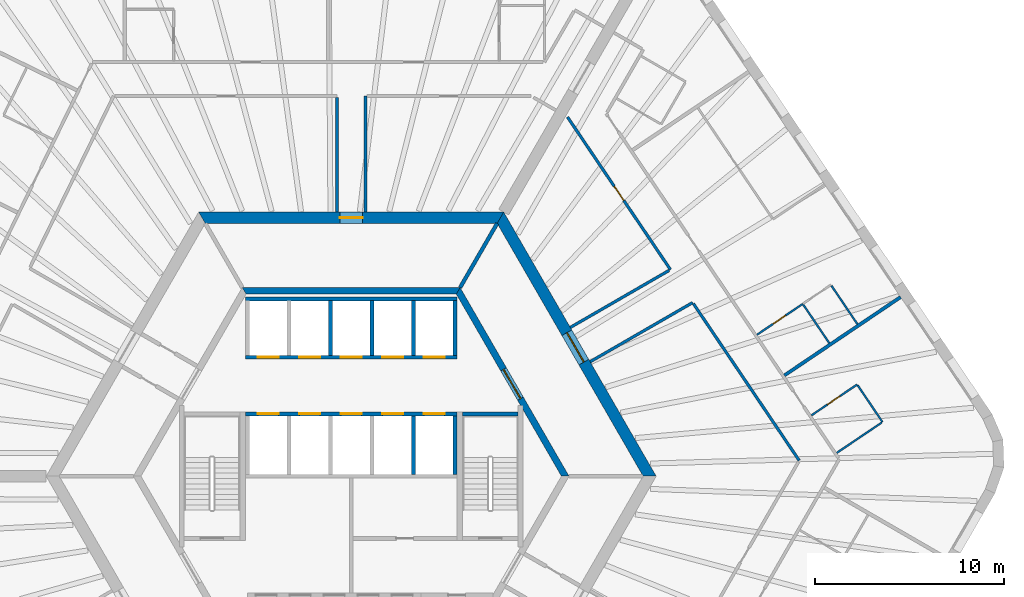
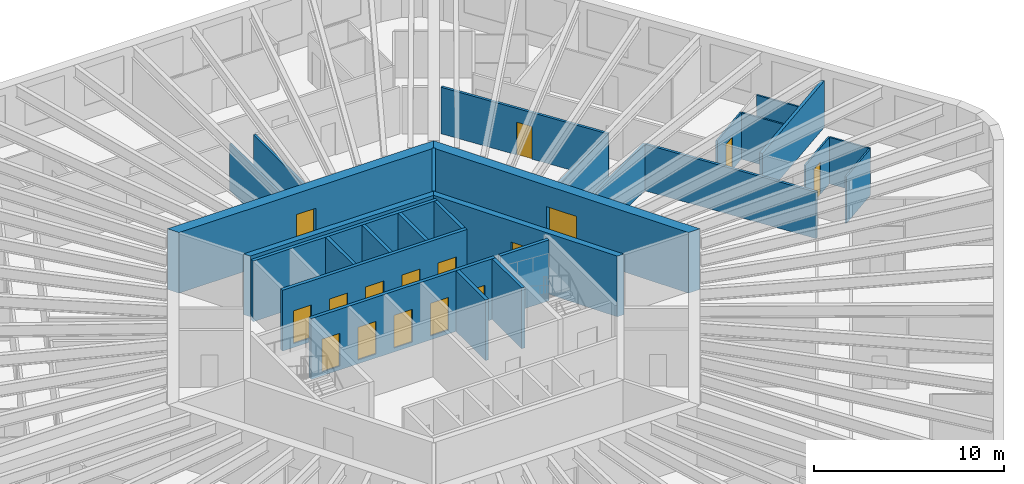
# One storey, part 9 of 12: 28 walls, 16 doors, 16 openings.
"""IFC4 building model written with IfcOpenShell, lengths in metres."""

import ifcopenshell
import ifcopenshell.guid

model = None  # the IFC model being written
_history = None  # IfcOwnerHistory: only IFC2X3 demands one
_inside = {}  # id of a spatial element -> (the spatial element, [elements in it])
_under = {}  # id of a project, library or spatial element -> (it, [spatial elements below it])
_declared = {}  # id of a project -> (the project, [libraries it declares])
_typed = {}  # id of a type object -> (the type object, [elements of that type])
_made_of = {}  # id of a material, layer set ... -> (it, [elements and type objects made of it])


def new_model(schema):
    """Start an empty IFC model of exactly this schema.

    Asked for "IFC4X3", IfcOpenShell would pick the latest addendum, in which some entities
    have other attributes; the version numbers below select the first issue.
    IFC2X3 requires an IfcOwnerHistory on every rooted entity: one is made here for all.
    """
    global model, _history
    if schema == "IFC4X3":
        model = ifcopenshell.file(schema_version=(4, 3, 0, 0))
    else:
        model = ifcopenshell.file(schema=schema)
    _inside.clear()
    _under.clear()
    _declared.clear()
    _typed.clear()
    _made_of.clear()
    _history = None
    if model.schema == "IFC2X3":
        org = make("IfcOrganization", Name="unknown")
        user = make(
            "IfcPersonAndOrganization",
            ThePerson=make("IfcPerson", FamilyName="unknown"),
            TheOrganization=org,
        )
        app = make(
            "IfcApplication",
            ApplicationDeveloper=org,
            Version="unknown",
            ApplicationFullName="unknown",
            ApplicationIdentifier="unknown",
        )
        _history = make(
            "IfcOwnerHistory",
            OwningUser=user,
            OwningApplication=app,
            ChangeAction="ADDED",
            CreationDate=0,
        )
    return model


def make(cls, **values):
    """One entity of the class cls with the attributes given. An attribute that is None is left unset."""
    return model.create_entity(
        cls, **{name: value for name, value in values.items() if value is not None}
    )


def rooted(cls, **values):
    """An entity with a GlobalId (a new one), such as an element, a storey or a relation."""
    return make(cls, GlobalId=ifcopenshell.guid.new(), OwnerHistory=_history, **values)


def si_unit(unit_type, name, prefix=None):
    """IfcSIUnit, for example si_unit("LENGTHUNIT", "METRE", prefix="MILLI")."""
    return make("IfcSIUnit", UnitType=unit_type, Prefix=prefix, Name=name)


def assignment(units):
    """IfcUnitAssignment: the units of a project."""
    return None if units is None else make("IfcUnitAssignment", Units=units)


def point(xyz):
    """IfcCartesianPoint."""
    return None if xyz is None else make("IfcCartesianPoint", Coordinates=xyz)


def direction(xyz):
    """IfcDirection."""
    return None if xyz is None else make("IfcDirection", DirectionRatios=xyz)


def frame(location, z_axis=None, x_axis=None):
    """IfcAxis2Placement3D, a coordinate frame: its origin and axes. An axis left out is left unset."""
    return make(
        "IfcAxis2Placement3D",
        Location=point(location),
        Axis=direction(z_axis),
        RefDirection=direction(x_axis),
    )


def frame_2d(location, x_axis=None):
    """IfcAxis2Placement2D, a coordinate frame in the plane: its origin and x axis."""
    return make(
        "IfcAxis2Placement2D", Location=point(location), RefDirection=direction(x_axis)
    )


def origin():
    """The frame at (0, 0, 0) with its axes left unset."""
    return frame((0.0, 0.0, 0.0))


def place(relative_to, where):
    """IfcLocalPlacement: puts the frame where relative to a parent placement (None: the world)."""
    return make(
        "IfcLocalPlacement", PlacementRelTo=relative_to, RelativePlacement=where
    )


def context(
    kind, dimensions, precision=None, world=None, true_north=None, identifier=None
):
    """IfcGeometricRepresentationContext, for example the 3D "Model" context."""
    return make(
        "IfcGeometricRepresentationContext",
        ContextIdentifier=identifier,
        ContextType=kind,
        CoordinateSpaceDimension=dimensions,
        Precision=precision,
        WorldCoordinateSystem=world,
        TrueNorth=true_north,
    )


def subcontext(parent, identifier, kind, view, scale=None):
    """IfcGeometricRepresentationSubContext, for example "Body" below "Model"."""
    return make(
        "IfcGeometricRepresentationSubContext",
        ContextIdentifier=identifier,
        ContextType=kind,
        ParentContext=parent,
        TargetScale=scale,
        TargetView=view,
    )


def project(units=None, contexts=None):
    """IfcProject with its units and contexts."""
    return rooted(
        "IfcProject",
        Name="project",
        RepresentationContexts=contexts,
        UnitsInContext=assignment(units),
    )


def spatial(cls, under=None, at=None, **own):
    """A site, building, storey or space (cls), placed at a placement, below another one or the project."""
    s = rooted(cls, ObjectPlacement=at, **own)
    if under is not None:
        _under.setdefault(under.id(), (under, []))[1].append(s)
    return s


def polyline(points):
    """IfcPolyline through the points."""
    return make("IfcPolyline", Points=[point(p) for p in points])


def profile(cls, at=None, kind="AREA", **sizes):
    """A parametric profile (cls). Its sizes go by their IFC names, for example OverallWidth=200.0."""
    return make(cls, ProfileType=kind, Position=at, **sizes)


def rectangle(**sizes):
    """IfcRectangleProfileDef."""
    return profile("IfcRectangleProfileDef", **sizes)


def outline(outer, holes=None, kind="AREA"):
    """IfcArbitraryClosedProfileDef: a profile drawn as a closed curve; with holes, ...WithVoids."""
    if holes is None:
        return make("IfcArbitraryClosedProfileDef", ProfileType=kind, OuterCurve=outer)
    return make(
        "IfcArbitraryProfileDefWithVoids",
        ProfileType=kind,
        OuterCurve=outer,
        InnerCurves=holes,
    )


def extrude(swept, where, along, depth):
    """IfcExtrudedAreaSolid: the profile swept, set in the frame where, extruded along a direction by depth."""
    return make(
        "IfcExtrudedAreaSolid",
        SweptArea=swept,
        Position=where,
        ExtrudedDirection=direction(along),
        Depth=depth,
    )


def shape(context_of_items, identifier, shape_type, items):
    """IfcShapeRepresentation: the items that make up one representation, for example the "Body"."""
    return make(
        "IfcShapeRepresentation",
        ContextOfItems=context_of_items,
        RepresentationIdentifier=identifier,
        RepresentationType=shape_type,
        Items=items,
    )


def material(Name=None, Category=None):
    """IfcMaterial."""
    return make("IfcMaterial", Name=Name, Category=Category)


def layer(
    of_material, thickness, ventilated=None, Name=None, Category=None, Priority=None
):
    """IfcMaterialLayer: one layer of a wall or slab, of a material (None: an air gap)."""
    return make(
        "IfcMaterialLayer",
        Material=of_material,
        LayerThickness=thickness,
        IsVentilated=ventilated,
        Name=Name,
        Category=Category,
        Priority=Priority,
    )


def layer_set(layers, Name=None):
    """IfcMaterialLayerSet."""
    return make("IfcMaterialLayerSet", MaterialLayers=layers, LayerSetName=Name)


def made_of(thing, what):
    """Note that an element or type object is made of a material, layer set ...; save() writes the relation."""
    if what is not None:
        _made_of.setdefault(what.id(), (what, []))[1].append(thing)
    return thing


def type_object(cls, material=None, **own):
    """A type object (cls), such as IfcWallType, which elements share."""
    return made_of(rooted(cls, **own), material)


def element(
    cls,
    number,
    at=None,
    inside=None,
    cuts=None,
    type_object=None,
    material=None,
    context=None,
    identifier="Body",
    shape_type=None,
    held_by="IfcProductDefinitionShape",
    body=None,
    shapes=None,
    **own,
):
    """One element of the class cls, such as IfcWall. Its Tag is "e" and its number.

    at: its placement. inside: the storey or other place that contains it. cuts: it is an
    opening in that element (IfcRelVoidsElement). A single representation is given by context,
    identifier, shape_type and body (its items); several are given by shapes. held_by: the class
    of the entity that holds the representations. save() writes the other relations.
    """
    e = rooted(cls, Tag="e%d" % number, ObjectPlacement=at, **own)
    if body is not None:
        shapes = [shape(context, identifier, shape_type, body)]
    if shapes is not None:
        e.Representation = make(held_by, Representations=shapes)
    if inside is not None:
        _inside.setdefault(inside.id(), (inside, []))[1].append(e)
    if cuts is not None:
        rooted(
            "IfcRelVoidsElement", RelatingBuildingElement=cuts, RelatedOpeningElement=e
        )
    if type_object is not None:
        _typed.setdefault(type_object.id(), (type_object, []))[1].append(e)
    return made_of(e, material)


def fill(opening, filler):
    """IfcRelFillsElement: the door or window that sits in an opening."""
    return rooted(
        "IfcRelFillsElement",
        RelatingOpeningElement=opening,
        RelatedBuildingElement=filler,
    )


def aggregate(whole, parts):
    """IfcRelAggregates: a whole, such as a stair, and the parts it consists of."""
    return rooted("IfcRelAggregates", RelatingObject=whole, RelatedObjects=parts)


def save(model, path):
    """Write the relations noted so far, then the file.

    IfcRelAggregates (storeys below a building ...), IfcRelContainedInSpatialStructure (elements
    in a storey), IfcRelDefinesByType, IfcRelAssociatesMaterial and IfcRelDeclares: one each for
    every whole, place, type object, material and project.
    """
    for whole, parts in _under.values():
        aggregate(whole, parts)
    for where, things in _inside.values():
        rooted(
            "IfcRelContainedInSpatialStructure",
            RelatedElements=things,
            RelatingStructure=where,
        )
    for kind, things in _typed.values():
        rooted("IfcRelDefinesByType", RelatedObjects=things, RelatingType=kind)
    for what, things in _made_of.values():
        rooted("IfcRelAssociatesMaterial", RelatedObjects=things, RelatingMaterial=what)
    for by, libraries in _declared.values():
        rooted("IfcRelDeclares", RelatingContext=by, RelatedDefinitions=libraries)
    model.write(path)


model = new_model("IFC4")

# Units and contexts
model_context = context("Model", 3, precision=1e-05, world=origin(), true_north=direction((0.0, 1.0)))
body_context = subcontext(model_context, "Body", "Model", "MODEL_VIEW")
ifc_project = project(units=[si_unit("LENGTHUNIT", "METRE"), si_unit("AREAUNIT", "SQUARE_METRE"), si_unit("VOLUMEUNIT", "CUBIC_METRE"), si_unit("PLANEANGLEUNIT", "RADIAN"), si_unit("MASSUNIT", "GRAM", prefix="KILO")], contexts=[model_context])

# Site, building, storey
site_placement = place(None, origin())
site = spatial("IfcSite", under=ifc_project, at=site_placement, CompositionType="ELEMENT")
building_placement = place(site_placement, origin())
building = spatial("IfcBuilding", under=site, at=building_placement, Name="Tarnside Tower", CompositionType="ELEMENT")
storey_placement = place(building_placement, frame((0.0, 0.0, 72.60009765625)))
storey = spatial("IfcBuildingStorey", under=building, at=storey_placement, Name="L15", CompositionType="ELEMENT", Elevation=72.60009765625)

# Wall, opening, door
ifc_material_1 = material(Name="Gypsum board partition on steel studs", Category="steel")
ifc_layer_1 = layer(ifc_material_1, 0.10009765625)
ifc_layer_set_1 = layer_set([ifc_layer_1], Name="Bathroom wall 100")
wall_type_1 = type_object("IfcWallType", Name="Bathroom wall 100", PredefinedType="PARTITIONING", material=ifc_layer_set_1)
wall_1_placement = place(storey_placement, frame((24.3916015625, 3.22509765625, 0.0), z_axis=(0.0, 0.0, 1.0), x_axis=(0.829033436212, 0.559199035802, 0.0)))
wall_1 = element("IfcWall", 1, at=wall_1_placement, inside=storey, type_object=wall_type_1, Name="Bathroom wall 04137", PredefinedType="PARTITIONING", context=body_context, shape_type="SweptSolid", body=[
    extrude(rectangle(XDim=2.925048828125, YDim=0.10009765625, at=frame_2d((1.46240234375, 0.0))), origin(), (0.0, 0.0, 1.0), 2.98779296875),
])
opening_1_placement = place(wall_1_placement, frame((1.02490234375, 0.0, 0.0)))
opening_1 = element("IfcOpeningElement", 2, at=opening_1_placement, cuts=wall_1, Name="Opening D-B1", PredefinedType="OPENING", context=body_context, shape_type="SweptSolid", body=[
    extrude(rectangle(XDim=0.800048828125, YDim=2.10009765625, at=frame_2d((0.39990234375, 1.050048828125))), frame((0.0, 0.06005859375, 0.0), z_axis=(0.0, -1.0, 0.0), x_axis=(1.0, 0.0, 0.0)), (0.0, 0.0, 1.0), 0.1201171875),
])
ifc_material_2 = material(Name="Timber door leaf", Category="wood")
door_type_1 = type_object("IfcDoorType", Name="Bathroom door 800", OperationType="NOTDEFINED", PredefinedType="DOOR", material=ifc_material_2)
door_1_placement = place(opening_1_placement, origin())
door_1 = element("IfcDoor", 3, at=door_1_placement, inside=storey, type_object=door_type_1, Name="Bathroom door 04034", OperationType="SINGLE_SWING_RIGHT", OverallHeight=2.10009765625, OverallWidth=0.800048828125, PredefinedType="DOOR", context=body_context, shape_type="SweptSolid", body=[
    extrude(rectangle(XDim=0.800048828125, YDim=2.10009765625, at=frame_2d((0.39990234375, 1.050048828125))), frame((0.0, 0.02490234375, 0.0), z_axis=(0.0, -1.0, 0.0), x_axis=(1.0, 0.0, 0.0)), (0.0, 0.0, 1.0), 0.050048828125),
])
fill(opening_1, door_1)

# Walls
wall_2_placement = place(storey_placement, frame((26.844482421875, 4.8193359375, 0.0), z_axis=(0.0, 0.0, 1.0), x_axis=(0.559223037199, -0.829017246302, 0.0)))
element("IfcWall", 4, at=wall_2_placement, inside=storey, type_object=wall_type_1, Name="Bathroom wall 04138", PredefinedType="PARTITIONING", context=body_context, shape_type="SweptSolid", body=[
    extrude(rectangle(XDim=2.35009765625, YDim=0.10009765625, at=frame_2d((1.175048828125, 0.0))), origin(), (0.0, 0.0, 1.0), 2.98779296875),
])
wall_3_placement = place(storey_placement, frame((28.1171875, 2.843017578125, 0.0), z_axis=(0.0, 0.0, 1.0), x_axis=(-0.82904649496, -0.559179675234, 0.0)))
element("IfcWall", 5, at=wall_3_placement, inside=storey, type_object=wall_type_1, Name="Bathroom wall 04139", PredefinedType="PARTITIONING", context=body_context, shape_type="SweptSolid", body=[
    extrude(rectangle(XDim=2.875, YDim=0.10009765625, at=frame_2d((1.4375, 0.0))), origin(), (0.0, 0.0, 1.0), 2.98779296875),
])

# Wall, opening, door
wall_4_placement = place(storey_placement, frame((21.509033203125, 7.49853515625, 0.0), z_axis=(0.0, 0.0, 1.0), x_axis=(0.829033436212, 0.559199035802, 0.0)))
wall_4 = element("IfcWall", 6, at=wall_4_placement, inside=storey, type_object=wall_type_1, Name="Bathroom wall 04143", PredefinedType="PARTITIONING", context=body_context, shape_type="SweptSolid", body=[
    extrude(rectangle(XDim=2.925048828125, YDim=0.10009765625, at=frame_2d((1.46240234375, 0.0))), origin(), (0.0, 0.0, 1.0), 2.98779296875),
])
opening_2_placement = place(wall_4_placement, frame((1.02490234375, 0.0, 0.0)))
opening_2 = element("IfcOpeningElement", 7, at=opening_2_placement, cuts=wall_4, Name="Opening D-B1", PredefinedType="OPENING", context=body_context, shape_type="SweptSolid", body=[
    extrude(rectangle(XDim=0.800048828125, YDim=2.10009765625, at=frame_2d((0.39990234375, 1.050048828125))), frame((0.0, 0.06005859375, 0.0), z_axis=(0.0, -1.0, 0.0), x_axis=(1.0, 0.0, 0.0)), (0.0, 0.0, 1.0), 0.1201171875),
])
door_2_placement = place(opening_2_placement, origin())
door_2 = element("IfcDoor", 8, at=door_2_placement, inside=storey, type_object=door_type_1, Name="Bathroom door 04036", OperationType="SINGLE_SWING_RIGHT", OverallHeight=2.10009765625, OverallWidth=0.800048828125, PredefinedType="DOOR", context=body_context, shape_type="SweptSolid", body=[
    extrude(rectangle(XDim=0.800048828125, YDim=2.10009765625, at=frame_2d((0.39990234375, 1.050048828125))), frame((0.0, 0.02490234375, 0.0), z_axis=(0.0, -1.0, 0.0), x_axis=(1.0, 0.0, 0.0)), (0.0, 0.0, 1.0), 0.050048828125),
])
fill(opening_2, door_2)

# Wall
wall_5_placement = place(storey_placement, frame((25.337646484375, 7.053466796875, 0.0), z_axis=(0.0, 0.0, 1.0), x_axis=(-0.559249542518, 0.82899936622, 0.0)))
element("IfcWall", 9, at=wall_5_placement, inside=storey, type_object=wall_type_1, Name="Bathroom wall 04149", PredefinedType="PARTITIONING", context=body_context, shape_type="SweptSolid", body=[
    extrude(rectangle(XDim=2.4599609375, YDim=0.10009765625, at=frame_2d((1.22998046875, 0.0))), origin(), (0.0, 0.0, 1.0), 2.98779296875),
])

# Wall, opening, door
ifc_material_3 = material(Name="Concrete C50/60", Category="concrete")
ifc_layer_2 = layer(ifc_material_3, 0.35009765625)
ifc_layer_set_2 = layer_set([ifc_layer_2], Name="Core block wall 350 C50/60")
wall_type_2 = type_object("IfcWallType", Name="Core block wall 350 C50/60", PredefinedType="SHEAR", material=ifc_layer_set_2)
wall_6_placement = place(storey_placement, frame((11.344970703125, 0.0, -0.150146484375), z_axis=(0.0, 0.0, 1.0), x_axis=(-0.499995046907, 0.866028263435, 0.0)))
wall_6 = element("IfcWall", 10, at=wall_6_placement, inside=storey, type_object=wall_type_2, Name="L15 core block wall face 6", PredefinedType="SHEAR", context=body_context, shape_type="SweptSolid", body=[
    extrude(outline(polyline([(-0.10107421875, -0.175048828125), (11.44580078125, -0.175048828125), (11.24365234375, 0.175048828125), (0.10107421875, 0.175048828125), (-0.10107421875, -0.175048828125)])), origin(), (0.0, 0.0, 1.0), 3.900146484375),
])
opening_3_placement = place(wall_6_placement, frame((4.74365234375, 0.0, 0.14990234375)))
opening_3 = element("IfcOpeningElement", 11, at=opening_3_placement, cuts=wall_6, Name="Opening CD-LOB", PredefinedType="OPENING", context=body_context, shape_type="SweptSolid", body=[
    extrude(rectangle(XDim=1.800048828125, YDim=2.39990234375, at=frame_2d((0.89990234375, 1.199951171875))), frame((0.0, 0.18505859375, 0.0), z_axis=(0.0, -1.0, 0.0), x_axis=(1.0, 0.0, 0.0)), (0.0, 0.0, 1.0), 0.3701171875),
])
ifc_material_4 = material(Name="Steel fire door", Category="steel")
door_type_2 = type_object("IfcDoorType", Name="Lobby double door FD30S 1800x2400", OperationType="NOTDEFINED", PredefinedType="DOOR", material=ifc_material_4)
door_3_placement = place(opening_3_placement, origin())
door_3 = element("IfcDoor", 12, at=door_3_placement, inside=storey, type_object=door_type_2, Name="L15 lobby block door P2", OperationType="DOUBLE_DOOR_SINGLE_SWING", OverallHeight=2.39990234375, OverallWidth=1.800048828125, PredefinedType="DOOR", context=body_context, shape_type="SweptSolid", body=[
    extrude(rectangle(XDim=1.800048828125, YDim=2.39990234375, at=frame_2d((0.89990234375, 1.199951171875))), frame((0.0, 0.02490234375, 0.0), z_axis=(0.0, -1.0, 0.0), x_axis=(1.0, 0.0, 0.0)), (0.0, 0.0, 1.0), 0.050048828125),
])
fill(opening_3, door_3)

# Wall
wall_7_placement = place(storey_placement, frame((5.672607421875, 9.824951171875, -0.150146484375), z_axis=(0.0, 0.0, 1.0), x_axis=(-1.0, 0.0, 0.0)))
element("IfcWall", 13, at=wall_7_placement, inside=storey, type_object=wall_type_2, Name="L15 core block wall face 1", PredefinedType="SHEAR", context=body_context, shape_type="SweptSolid", body=[
    extrude(outline(polyline([(-0.10107421875, -0.175048828125), (11.4462890625, -0.175048828125), (11.244140625, 0.175048828125), (0.10107421875, 0.175048828125), (-0.10107421875, -0.175048828125)])), origin(), (0.0, 0.0, 1.0), 3.900146484375),
])

# Wall, opening, door
ifc_material_5 = material(Name="Concrete C80/95", Category="concrete")
ifc_layer_3 = layer(ifc_material_5, 0.60009765625)
ifc_layer_set_3 = layer_set([ifc_layer_3], Name="Core wall Z1 600 C80/95")
wall_type_3 = type_object("IfcWallType", Name="Core wall Z1 600 C80/95", PredefinedType="SHEAR", material=ifc_layer_set_3)
wall_8_placement = place(storey_placement, frame((15.8193359375, 0.0, -0.150146484375), z_axis=(0.0, 0.0, 1.0), x_axis=(-0.499999880136, 0.866025472988, 0.0)))
wall_8 = element("IfcWall", 14, at=wall_8_placement, inside=storey, type_object=wall_type_3, Name="L15 core wall face 6", PredefinedType="SHEAR", context=body_context, shape_type="SweptSolid", body=[
    extrude(outline(polyline([(-0.17333984375, -0.300048828125), (15.99267578125, -0.300048828125), (15.64599609375, 0.300048828125), (0.17333984375, 0.300048828125), (-0.17333984375, -0.300048828125)])), origin(), (0.0, 0.0, 1.0), 3.900146484375),
])
opening_4_placement = place(wall_8_placement, frame((6.980712890625, 0.0, 0.14990234375)))
opening_4 = element("IfcOpeningElement", 15, at=opening_4_placement, cuts=wall_8, Name="Opening CD-LOB", PredefinedType="OPENING", context=body_context, shape_type="SweptSolid", body=[
    extrude(rectangle(XDim=1.800048828125, YDim=2.39990234375, at=frame_2d((0.89990234375, 1.199951171875))), frame((0.0, 0.31005859375, 0.0), z_axis=(0.0, -1.0, 0.0), x_axis=(1.0, 0.0, 0.0)), (0.0, 0.0, 1.0), 0.6201171875),
])
door_4_placement = place(opening_4_placement, origin())
door_4 = element("IfcDoor", 16, at=door_4_placement, inside=storey, type_object=door_type_2, Name="L15 core door P2", OperationType="DOUBLE_DOOR_SINGLE_SWING", OverallHeight=2.39990234375, OverallWidth=1.800048828125, PredefinedType="DOOR", context=body_context, shape_type="SweptSolid", body=[
    extrude(rectangle(XDim=1.800048828125, YDim=2.39990234375, at=frame_2d((0.89990234375, 1.199951171875))), frame((0.0, 0.02490234375, 0.0), z_axis=(0.0, -1.0, 0.0), x_axis=(1.0, 0.0, 0.0)), (0.0, 0.0, 1.0), 0.050048828125),
])
fill(opening_4, door_4)

wall_9_placement = place(storey_placement, frame((7.90966796875, 13.699951171875, -0.150146484375), z_axis=(0.0, 0.0, 1.0), x_axis=(-1.0, 0.0, 0.0)))
wall_9 = element("IfcWall", 17, at=wall_9_placement, inside=storey, type_object=wall_type_3, Name="L15 core wall face 1", PredefinedType="SHEAR", context=body_context, shape_type="SweptSolid", body=[
    extrude(outline(polyline([(-0.17333984375, -0.300048828125), (15.99267578125, -0.300048828125), (15.64599609375, 0.300048828125), (0.17333984375, 0.300048828125), (-0.17333984375, -0.300048828125)])), origin(), (0.0, 0.0, 1.0), 3.900146484375),
])
opening_5_placement = place(wall_9_placement, frame((7.309814453125, 0.0, 0.14990234375)))
opening_5 = element("IfcOpeningElement", 18, at=opening_5_placement, cuts=wall_9, Name="Opening CD-RSR", PredefinedType="OPENING", context=body_context, shape_type="SweptSolid", body=[
    extrude(rectangle(XDim=1.199951171875, YDim=2.39990234375, at=frame_2d((0.60009765625, 1.199951171875))), frame((0.0, 0.31005859375, 0.0), z_axis=(0.0, -1.0, 0.0), x_axis=(1.0, 0.0, 0.0)), (0.0, 0.0, 1.0), 0.6201171875),
])
door_type_3 = type_object("IfcDoorType", Name="Riser door FD60 1200x2400", OperationType="NOTDEFINED", PredefinedType="DOOR", material=ifc_material_4)
door_5_placement = place(opening_5_placement, origin())
door_5 = element("IfcDoor", 19, at=door_5_placement, inside=storey, type_object=door_type_3, Name="L15 core door S5", OperationType="SINGLE_SWING_LEFT", OverallHeight=2.39990234375, OverallWidth=1.199951171875, PredefinedType="DOOR", context=body_context, shape_type="SweptSolid", body=[
    extrude(rectangle(XDim=1.199951171875, YDim=2.39990234375, at=frame_2d((0.60009765625, 1.199951171875))), frame((0.0, 0.02490234375, 0.0), z_axis=(0.0, -1.0, 0.0), x_axis=(1.0, 0.0, 0.0)), (0.0, 0.0, 1.0), 0.050048828125),
])
fill(opening_5, door_5)

# Walls
ifc_layer_4 = layer(ifc_material_1, 0.14990234375)
ifc_layer_set_4 = layer_set([ifc_layer_4], Name="Corridor wall 150 EI 60")
wall_type_4 = type_object("IfcWallType", Name="Corridor wall 150 EI 60", PredefinedType="PARTITIONING", material=ifc_layer_set_4)
wall_10_placement = place(storey_placement, frame((-0.75, 20.074951171875, 0.0), z_axis=(0.0, 0.0, 1.0), x_axis=(0.0, -1.0, 0.0)))
element("IfcWall", 20, at=wall_10_placement, inside=storey, type_object=wall_type_4, Name="Corridor wall 04019", PredefinedType="PARTITIONING", context=body_context, shape_type="SweptSolid", body=[
    extrude(rectangle(XDim=6.074951171875, YDim=0.14990234375, at=frame_2d((3.03759765625, 0.0))), origin(), (0.0, 0.0, 1.0), 2.98779296875),
])
wall_11_placement = place(storey_placement, frame((0.75, 14.0, 0.0), z_axis=(0.0, 0.0, 1.0), x_axis=(0.0, 1.0, 0.0)))
element("IfcWall", 21, at=wall_11_placement, inside=storey, type_object=wall_type_4, Name="Corridor wall 04020", PredefinedType="PARTITIONING", context=body_context, shape_type="SweptSolid", body=[
    extrude(rectangle(XDim=6.14990234375, YDim=0.14990234375, at=frame_2d((3.074951171875, 0.0))), origin(), (0.0, 0.0, 1.0), 2.98779296875),
])
wall_12_placement = place(storey_placement, frame((12.663818359375, 6.065673828125, 0.0), z_axis=(0.0, 0.0, 1.0), x_axis=(0.866036561919, 0.499980673046, 0.0)))
element("IfcWall", 22, at=wall_12_placement, inside=storey, type_object=wall_type_4, Name="Corridor wall 04067", PredefinedType="PARTITIONING", context=body_context, shape_type="SweptSolid", body=[
    extrude(rectangle(XDim=6.274658203125, YDim=0.14990234375, at=frame_2d((3.13720703125, 0.0))), origin(), (0.0, 0.0, 1.0), 2.98779296875),
])
wall_13_placement = place(storey_placement, frame((18.139892578125, 9.140625, 0.0), z_axis=(0.0, 0.0, 1.0), x_axis=(0.55918799196, -0.829040885389, 0.0)))
element("IfcWall", 23, at=wall_13_placement, inside=storey, type_object=wall_type_4, Name="Corridor wall 04068", PredefinedType="PARTITIONING", context=body_context, shape_type="SweptSolid", body=[
    extrude(rectangle(XDim=10.025146484375, YDim=0.14990234375, at=frame_2d((5.0126953125, 0.0))), origin(), (0.0, 0.0, 1.0), 2.98779296875),
])

# Wall, opening, door
wall_14_placement = place(storey_placement, frame((11.464599609375, 19.037109375, 0.0), z_axis=(0.0, 0.0, 1.0), x_axis=(0.559196064773, -0.829035440221, 0.0)))
wall_14 = element("IfcWall", 24, at=wall_14_placement, inside=storey, type_object=wall_type_4, Name="Corridor wall 04074", PredefinedType="PARTITIONING", context=body_context, shape_type="SweptSolid", body=[
    extrude(rectangle(XDim=9.757080078125, YDim=0.14990234375, at=frame_2d((4.87841796875, 0.0))), origin(), (0.0, 0.0, 1.0), 2.98779296875),
])
opening_6_placement = place(wall_14_placement, frame((4.428466796875, 0.0, 0.0)))
opening_6 = element("IfcOpeningElement", 25, at=opening_6_placement, cuts=wall_14, Name="Opening D-S1", PredefinedType="OPENING", context=body_context, shape_type="SweptSolid", body=[
    extrude(rectangle(XDim=0.89990234375, YDim=2.10009765625, at=frame_2d((0.449951171875, 1.050048828125))), frame((0.0, 0.0849609375, 0.0), z_axis=(0.0, -1.0, 0.0), x_axis=(1.0, 0.0, 0.0)), (0.0, 0.0, 1.0), 0.169921875),
])
door_type_4 = type_object("IfcDoorType", Name="Service room door 900 FD30S", OperationType="NOTDEFINED", PredefinedType="DOOR", material=ifc_material_2)
door_6_placement = place(opening_6_placement, origin())
door_6 = element("IfcDoor", 26, at=door_6_placement, inside=storey, type_object=door_type_4, Name="Service door 04049", OperationType="SINGLE_SWING_RIGHT", OverallHeight=2.10009765625, OverallWidth=0.89990234375, PredefinedType="DOOR", context=body_context, shape_type="SweptSolid", body=[
    extrude(rectangle(XDim=0.89990234375, YDim=2.10009765625, at=frame_2d((0.449951171875, 1.050048828125))), frame((0.0, 0.02490234375, 0.0), z_axis=(0.0, -1.0, 0.0), x_axis=(1.0, 0.0, 0.0)), (0.0, 0.0, 1.0), 0.050048828125),
])
fill(opening_6, door_6)

# Walls
wall_15_placement = place(storey_placement, frame((16.85546875, 10.91064453125, 0.0), z_axis=(0.0, 0.0, 1.0), x_axis=(-0.866020343444, -0.500008764664, 0.0)))
element("IfcWall", 27, at=wall_15_placement, inside=storey, type_object=wall_type_4, Name="Corridor wall 04075", PredefinedType="PARTITIONING", context=body_context, shape_type="SweptSolid", body=[
    extrude(rectangle(XDim=6.052734375, YDim=0.14990234375, at=frame_2d((3.0263671875, 0.0))), origin(), (0.0, 0.0, 1.0), 2.98779296875),
])
ifc_layer_5 = layer(ifc_material_1, 0.179931640625)
ifc_layer_set_5 = layer_set([ifc_layer_5], Name="Demising wall 180 EI 60")
wall_type_5 = type_object("IfcWallType", Name="Demising wall 180 EI 60", PredefinedType="PARTITIONING", material=ifc_layer_set_5)
wall_16_placement = place(storey_placement, frame((29.11865234375, 9.4951171875, 0.0), z_axis=(0.0, 0.0, 1.0), x_axis=(-0.829038452737, -0.559191598545, 0.0)))
element("IfcWall", 28, at=wall_16_placement, inside=storey, type_object=wall_type_5, Name="Demising wall 04140", PredefinedType="PARTITIONING", context=body_context, shape_type="SweptSolid", body=[
    extrude(rectangle(XDim=7.42529296875, YDim=0.179931640625, at=frame_2d((3.712646484375, 0.0))), origin(), (0.0, 0.0, 1.0), 2.98779296875),
])

# Wall, openings, doors
ifc_material_6 = material(Name="Concrete C40/50", Category="concrete")
ifc_layer_6 = layer(ifc_material_6, 0.199951171875)
ifc_layer_set_6 = layer_set([ifc_layer_6], Name="Lift shaft wall 200 C40/50")
wall_type_6 = type_object("IfcWallType", Name="Lift shaft wall 200 C40/50", PredefinedType="SHEAR", material=ifc_layer_set_6)
wall_17_placement = place(storey_placement, frame((-5.60009765625, 6.300048828125, -0.25), z_axis=(0.0, 0.0, 1.0), x_axis=(1.0, 0.0, 0.0)))
wall_17 = element("IfcWall", 29, at=wall_17_placement, inside=storey, type_object=wall_type_6, Name="L15 lift shaft front wall R1", PredefinedType="SHEAR", context=body_context, shape_type="SweptSolid", body=[
    extrude(rectangle(XDim=11.2001953125, YDim=0.199951171875, at=frame_2d((5.60009765625, 0.0))), origin(), (0.0, 0.0, 1.0), 3.89990234375),
])
opening_7_placement = place(wall_17_placement, frame((0.64990234375, 0.0, 0.25)))
opening_7 = element("IfcOpeningElement", 30, at=opening_7_placement, cuts=wall_17, Name="Opening LD", PredefinedType="OPENING", context=body_context, shape_type="SweptSolid", body=[
    extrude(rectangle(XDim=1.10009765625, YDim=2.10009765625, at=frame_2d((0.550048828125, 1.050048828125))), frame((0.0, 0.10986328125, 0.0), z_axis=(0.0, -1.0, 0.0), x_axis=(1.0, 0.0, 0.0)), (0.0, 0.0, 1.0), 0.219970703125),
])
opening_8_placement = place(wall_17_placement, frame((2.85009765625, 0.0, 0.25)))
opening_8 = element("IfcOpeningElement", 31, at=opening_8_placement, cuts=wall_17, Name="Opening LD", PredefinedType="OPENING", context=body_context, shape_type="SweptSolid", body=[
    extrude(rectangle(XDim=1.10009765625, YDim=2.10009765625, at=frame_2d((0.550048828125, 1.050048828125))), frame((0.0, 0.10986328125, 0.0), z_axis=(0.0, -1.0, 0.0), x_axis=(1.0, 0.0, 0.0)), (0.0, 0.0, 1.0), 0.219970703125),
])
opening_9_placement = place(wall_17_placement, frame((5.050048828125, 0.0, 0.25)))
opening_9 = element("IfcOpeningElement", 32, at=opening_9_placement, cuts=wall_17, Name="Opening LD", PredefinedType="OPENING", context=body_context, shape_type="SweptSolid", body=[
    extrude(rectangle(XDim=1.10009765625, YDim=2.10009765625, at=frame_2d((0.550048828125, 1.050048828125))), frame((0.0, 0.10986328125, 0.0), z_axis=(0.0, -1.0, 0.0), x_axis=(1.0, 0.0, 0.0)), (0.0, 0.0, 1.0), 0.219970703125),
])
opening_10_placement = place(wall_17_placement, frame((7.25, 0.0, 0.25)))
opening_10 = element("IfcOpeningElement", 33, at=opening_10_placement, cuts=wall_17, Name="Opening LD", PredefinedType="OPENING", context=body_context, shape_type="SweptSolid", body=[
    extrude(rectangle(XDim=1.10009765625, YDim=2.10009765625, at=frame_2d((0.550048828125, 1.050048828125))), frame((0.0, 0.10986328125, 0.0), z_axis=(0.0, -1.0, 0.0), x_axis=(1.0, 0.0, 0.0)), (0.0, 0.0, 1.0), 0.219970703125),
])
opening_11_placement = place(wall_17_placement, frame((9.449951171875, 0.0, 0.25)))
opening_11 = element("IfcOpeningElement", 34, at=opening_11_placement, cuts=wall_17, Name="Opening LD", PredefinedType="OPENING", context=body_context, shape_type="SweptSolid", body=[
    extrude(rectangle(XDim=1.10009765625, YDim=2.10009765625, at=frame_2d((0.550048828125, 1.050048828125))), frame((0.0, 0.10986328125, 0.0), z_axis=(0.0, -1.0, 0.0), x_axis=(1.0, 0.0, 0.0)), (0.0, 0.0, 1.0), 0.219970703125),
])
ifc_material_7 = material(Name="Stainless steel", Category="steel")
door_type_5 = type_object("IfcDoorType", Name="Lift landing door 1100x2100", OperationType="NOTDEFINED", PredefinedType="DOOR", material=ifc_material_7)
door_7_placement = place(opening_7_placement, origin())
door_7 = element("IfcDoor", 35, at=door_7_placement, inside=storey, type_object=door_type_5, Name="Low-rise lift 1 landing door L15", OperationType="SLIDING_TO_LEFT", OverallHeight=2.10009765625, OverallWidth=1.10009765625, PredefinedType="DOOR", context=body_context, shape_type="SweptSolid", body=[
    extrude(rectangle(XDim=1.10009765625, YDim=2.10009765625, at=frame_2d((0.550048828125, 1.050048828125))), frame((0.0, 0.02490234375, 0.0), z_axis=(0.0, -1.0, 0.0), x_axis=(1.0, 0.0, 0.0)), (0.0, 0.0, 1.0), 0.050048828125),
])
fill(opening_7, door_7)
door_8_placement = place(opening_8_placement, origin())
door_8 = element("IfcDoor", 36, at=door_8_placement, inside=storey, type_object=door_type_5, Name="Low-rise lift 2 landing door L15", OperationType="SLIDING_TO_LEFT", OverallHeight=2.10009765625, OverallWidth=1.10009765625, PredefinedType="DOOR", context=body_context, shape_type="SweptSolid", body=[
    extrude(rectangle(XDim=1.10009765625, YDim=2.10009765625, at=frame_2d((0.550048828125, 1.050048828125))), frame((0.0, 0.02490234375, 0.0), z_axis=(0.0, -1.0, 0.0), x_axis=(1.0, 0.0, 0.0)), (0.0, 0.0, 1.0), 0.050048828125),
])
fill(opening_8, door_8)
door_9_placement = place(opening_9_placement, origin())
door_9 = element("IfcDoor", 37, at=door_9_placement, inside=storey, type_object=door_type_5, Name="Low-rise lift 3 landing door L15", OperationType="SLIDING_TO_LEFT", OverallHeight=2.10009765625, OverallWidth=1.10009765625, PredefinedType="DOOR", context=body_context, shape_type="SweptSolid", body=[
    extrude(rectangle(XDim=1.10009765625, YDim=2.10009765625, at=frame_2d((0.550048828125, 1.050048828125))), frame((0.0, 0.02490234375, 0.0), z_axis=(0.0, -1.0, 0.0), x_axis=(1.0, 0.0, 0.0)), (0.0, 0.0, 1.0), 0.050048828125),
])
fill(opening_9, door_9)
door_10_placement = place(opening_10_placement, origin())
door_10 = element("IfcDoor", 38, at=door_10_placement, inside=storey, type_object=door_type_5, Name="Low sky-lobby shuttle 1 landing door L15", OperationType="SLIDING_TO_LEFT", OverallHeight=2.10009765625, OverallWidth=1.10009765625, PredefinedType="DOOR", context=body_context, shape_type="SweptSolid", body=[
    extrude(rectangle(XDim=1.10009765625, YDim=2.10009765625, at=frame_2d((0.550048828125, 1.050048828125))), frame((0.0, 0.02490234375, 0.0), z_axis=(0.0, -1.0, 0.0), x_axis=(1.0, 0.0, 0.0)), (0.0, 0.0, 1.0), 0.050048828125),
])
fill(opening_10, door_10)
door_11_placement = place(opening_11_placement, origin())
door_11 = element("IfcDoor", 39, at=door_11_placement, inside=storey, type_object=door_type_5, Name="Low sky-lobby shuttle 2 landing door L15", OperationType="SLIDING_TO_LEFT", OverallHeight=2.10009765625, OverallWidth=1.10009765625, PredefinedType="DOOR", context=body_context, shape_type="SweptSolid", body=[
    extrude(rectangle(XDim=1.10009765625, YDim=2.10009765625, at=frame_2d((0.550048828125, 1.050048828125))), frame((0.0, 0.02490234375, 0.0), z_axis=(0.0, -1.0, 0.0), x_axis=(1.0, 0.0, 0.0)), (0.0, 0.0, 1.0), 0.050048828125),
])
fill(opening_11, door_11)

# Walls
wall_18_placement = place(storey_placement, frame((-5.60009765625, 9.39990234375, -0.25), z_axis=(0.0, 0.0, 1.0), x_axis=(1.0, 0.0, 0.0)))
element("IfcWall", 40, at=wall_18_placement, inside=storey, type_object=wall_type_6, Name="L15 lift shaft back wall R1", PredefinedType="SHEAR", context=body_context, shape_type="SweptSolid", body=[
    extrude(rectangle(XDim=11.2001953125, YDim=0.199951171875, at=frame_2d((5.60009765625, 0.0))), origin(), (0.0, 0.0, 1.0), 3.89990234375),
])
for number, where, z_axis, x_axis, name in (
    (41, (-1.10009765625, 6.39990234375, -0.25), (0.0, 0.0, 1.0), (0.0, 1.0, 0.0), "L15 lift shaft partition R13"),
    (42, (1.10009765625, 6.39990234375, -0.25), (0.0, 0.0, 1.0), (0.0, 1.0, 0.0), "L15 lift shaft partition R14"),
    (43, (3.300048828125, 6.39990234375, -0.25), (0.0, 0.0, 1.0), (0.0, 1.0, 0.0), "L15 lift shaft partition R15"),
    (44, (5.5, 6.39990234375, -0.25), (0.0, 0.0, 1.0), (0.0, 1.0, 0.0), "L15 lift shaft partition R16"),
):
    element("IfcWall", number, at=place(storey_placement, frame(where, z_axis=z_axis, x_axis=x_axis)), inside=storey, type_object=wall_type_6, Name=name, PredefinedType="SHEAR", context=body_context, shape_type="SweptSolid", body=[
        extrude(rectangle(XDim=2.900146484375, YDim=0.199951171875, at=frame_2d((1.4501953125, 0.0))), origin(), (0.0, 0.0, 1.0), 3.89990234375),
    ])

# Wall, openings, doors
wall_19_placement = place(storey_placement, frame((-5.60009765625, 3.300048828125, -0.25), z_axis=(0.0, 0.0, 1.0), x_axis=(1.0, 0.0, 0.0)))
wall_19 = element("IfcWall", 45, at=wall_19_placement, inside=storey, type_object=wall_type_6, Name="L15 lift shaft front wall R2", PredefinedType="SHEAR", context=body_context, shape_type="SweptSolid", body=[
    extrude(rectangle(XDim=11.2001953125, YDim=0.199951171875, at=frame_2d((5.60009765625, 0.0))), origin(), (0.0, 0.0, 1.0), 3.89990234375),
])
opening_12_placement = place(wall_19_placement, frame((0.64990234375, 0.0, 0.25)))
opening_12 = element("IfcOpeningElement", 46, at=opening_12_placement, cuts=wall_19, Name="Opening LD", PredefinedType="OPENING", context=body_context, shape_type="SweptSolid", body=[
    extrude(rectangle(XDim=1.10009765625, YDim=2.10009765625, at=frame_2d((0.550048828125, 1.050048828125))), frame((0.0, 0.10986328125, 0.0), z_axis=(0.0, -1.0, 0.0), x_axis=(1.0, 0.0, 0.0)), (0.0, 0.0, 1.0), 0.219970703125),
])
opening_13_placement = place(wall_19_placement, frame((2.85009765625, 0.0, 0.25)))
opening_13 = element("IfcOpeningElement", 47, at=opening_13_placement, cuts=wall_19, Name="Opening LD", PredefinedType="OPENING", context=body_context, shape_type="SweptSolid", body=[
    extrude(rectangle(XDim=1.10009765625, YDim=2.10009765625, at=frame_2d((0.550048828125, 1.050048828125))), frame((0.0, 0.10986328125, 0.0), z_axis=(0.0, -1.0, 0.0), x_axis=(1.0, 0.0, 0.0)), (0.0, 0.0, 1.0), 0.219970703125),
])
opening_14_placement = place(wall_19_placement, frame((5.050048828125, 0.0, 0.25)))
opening_14 = element("IfcOpeningElement", 48, at=opening_14_placement, cuts=wall_19, Name="Opening LD", PredefinedType="OPENING", context=body_context, shape_type="SweptSolid", body=[
    extrude(rectangle(XDim=1.10009765625, YDim=2.10009765625, at=frame_2d((0.550048828125, 1.050048828125))), frame((0.0, 0.10986328125, 0.0), z_axis=(0.0, -1.0, 0.0), x_axis=(1.0, 0.0, 0.0)), (0.0, 0.0, 1.0), 0.219970703125),
])
opening_15_placement = place(wall_19_placement, frame((7.25, 0.0, 0.25)))
opening_15 = element("IfcOpeningElement", 49, at=opening_15_placement, cuts=wall_19, Name="Opening LD", PredefinedType="OPENING", context=body_context, shape_type="SweptSolid", body=[
    extrude(rectangle(XDim=1.10009765625, YDim=2.10009765625, at=frame_2d((0.550048828125, 1.050048828125))), frame((0.0, 0.10986328125, 0.0), z_axis=(0.0, -1.0, 0.0), x_axis=(1.0, 0.0, 0.0)), (0.0, 0.0, 1.0), 0.219970703125),
])
opening_16_placement = place(wall_19_placement, frame((9.449951171875, 0.0, 0.25)))
opening_16 = element("IfcOpeningElement", 50, at=opening_16_placement, cuts=wall_19, Name="Opening LD", PredefinedType="OPENING", context=body_context, shape_type="SweptSolid", body=[
    extrude(rectangle(XDim=1.10009765625, YDim=2.10009765625, at=frame_2d((0.550048828125, 1.050048828125))), frame((0.0, 0.10986328125, 0.0), z_axis=(0.0, -1.0, 0.0), x_axis=(1.0, 0.0, 0.0)), (0.0, 0.0, 1.0), 0.219970703125),
])
door_12_placement = place(opening_12_placement, origin())
door_12 = element("IfcDoor", 51, at=door_12_placement, inside=storey, type_object=door_type_5, Name="Low-rise lift 4 landing door L15", OperationType="SLIDING_TO_LEFT", OverallHeight=2.10009765625, OverallWidth=1.10009765625, PredefinedType="DOOR", context=body_context, shape_type="SweptSolid", body=[
    extrude(rectangle(XDim=1.10009765625, YDim=2.10009765625, at=frame_2d((0.550048828125, 1.050048828125))), frame((0.0, 0.02490234375, 0.0), z_axis=(0.0, -1.0, 0.0), x_axis=(1.0, 0.0, 0.0)), (0.0, 0.0, 1.0), 0.050048828125),
])
fill(opening_12, door_12)
door_13_placement = place(opening_13_placement, origin())
door_13 = element("IfcDoor", 52, at=door_13_placement, inside=storey, type_object=door_type_5, Name="Low-rise lift 5 landing door L15", OperationType="SLIDING_TO_LEFT", OverallHeight=2.10009765625, OverallWidth=1.10009765625, PredefinedType="DOOR", context=body_context, shape_type="SweptSolid", body=[
    extrude(rectangle(XDim=1.10009765625, YDim=2.10009765625, at=frame_2d((0.550048828125, 1.050048828125))), frame((0.0, 0.02490234375, 0.0), z_axis=(0.0, -1.0, 0.0), x_axis=(1.0, 0.0, 0.0)), (0.0, 0.0, 1.0), 0.050048828125),
])
fill(opening_13, door_13)
door_14_placement = place(opening_14_placement, origin())
door_14 = element("IfcDoor", 53, at=door_14_placement, inside=storey, type_object=door_type_5, Name="Low-rise lift 6 landing door L15", OperationType="SLIDING_TO_LEFT", OverallHeight=2.10009765625, OverallWidth=1.10009765625, PredefinedType="DOOR", context=body_context, shape_type="SweptSolid", body=[
    extrude(rectangle(XDim=1.10009765625, YDim=2.10009765625, at=frame_2d((0.550048828125, 1.050048828125))), frame((0.0, 0.02490234375, 0.0), z_axis=(0.0, -1.0, 0.0), x_axis=(1.0, 0.0, 0.0)), (0.0, 0.0, 1.0), 0.050048828125),
])
fill(opening_14, door_14)
door_15_placement = place(opening_15_placement, origin())
door_15 = element("IfcDoor", 54, at=door_15_placement, inside=storey, type_object=door_type_5, Name="High sky-lobby shuttle 1 landing door L15", OperationType="SLIDING_TO_LEFT", OverallHeight=2.10009765625, OverallWidth=1.10009765625, PredefinedType="DOOR", context=body_context, shape_type="SweptSolid", body=[
    extrude(rectangle(XDim=1.10009765625, YDim=2.10009765625, at=frame_2d((0.550048828125, 1.050048828125))), frame((0.0, 0.02490234375, 0.0), z_axis=(0.0, -1.0, 0.0), x_axis=(1.0, 0.0, 0.0)), (0.0, 0.0, 1.0), 0.050048828125),
])
fill(opening_15, door_15)
door_16_placement = place(opening_16_placement, origin())
door_16 = element("IfcDoor", 55, at=door_16_placement, inside=storey, type_object=door_type_5, Name="Express sky-lobby shuttle 2 landing door L15", OperationType="SLIDING_TO_LEFT", OverallHeight=2.10009765625, OverallWidth=1.10009765625, PredefinedType="DOOR", context=body_context, shape_type="SweptSolid", body=[
    extrude(rectangle(XDim=1.10009765625, YDim=2.10009765625, at=frame_2d((0.550048828125, 1.050048828125))), frame((0.0, 0.02490234375, 0.0), z_axis=(0.0, -1.0, 0.0), x_axis=(1.0, 0.0, 0.0)), (0.0, 0.0, 1.0), 0.050048828125),
])
fill(opening_16, door_16)

# Walls
for number, where, z_axis, x_axis, name in (
    (56, (3.300048828125, 0.10009765625, -0.25), (0.0, 0.0, 1.0), (0.0, 1.0, 0.0), "L15 lift shaft partition R25"),
    (57, (5.5, 0.10009765625, -0.25), (0.0, 0.0, 1.0), (0.0, 1.0, 0.0), "L15 lift shaft partition R26"),
):
    element("IfcWall", number, at=place(storey_placement, frame(where, z_axis=z_axis, x_axis=x_axis)), inside=storey, type_object=wall_type_6, Name=name, PredefinedType="SHEAR", context=body_context, shape_type="SweptSolid", body=[
        extrude(rectangle(XDim=3.099853515625, YDim=0.199951171875, at=frame_2d((1.5498046875, 0.0))), origin(), (0.0, 0.0, 1.0), 3.89990234375),
    ])
wall_20_placement = place(storey_placement, frame((5.7734375, 10.0, -0.150146484375), z_axis=(0.0, 0.0, 1.0), x_axis=(0.500038251005, 0.86600331843, 0.0)))
element("IfcWall", 58, at=wall_20_placement, inside=storey, type_object=wall_type_6, Name="L15 core partition AR60", PredefinedType="SHEAR", context=body_context, shape_type="SweptSolid", body=[
    extrude(rectangle(XDim=3.926025390625, YDim=0.199951171875, at=frame_2d((1.962890625, 0.0))), origin(), (0.0, 0.0, 1.0), 3.900146484375),
])
wall_21_placement = place(storey_placement, frame((5.89990234375, 3.300048828125, -0.25), z_axis=(0.0, 0.0, 1.0), x_axis=(1.0, 0.0, 0.0)))
element("IfcWall", 59, at=wall_21_placement, inside=storey, type_object=wall_type_6, Name="L15 stair 1 enclosure cap wall n", PredefinedType="SHEAR", context=body_context, shape_type="SweptSolid", body=[
    extrude(rectangle(XDim=2.9501953125, YDim=0.199951171875, at=frame_2d((1.47509765625, 0.0))), origin(), (0.0, 0.0, 1.0), 3.89990234375),
])
ifc_layer_7 = layer(ifc_material_1, 0.10009765625)
ifc_layer_set_7 = layer_set([ifc_layer_7], Name="Partition 100")
wall_type_7 = type_object("IfcWallType", Name="Partition 100", PredefinedType="PARTITIONING", material=ifc_layer_set_7)
wall_22_placement = place(storey_placement, frame((25.454345703125, 10.099365234375, 0.0), z_axis=(0.0, 0.0, 1.0), x_axis=(0.559135322609, -0.829076408427, 0.0)))
element("IfcWall", 60, at=wall_22_placement, inside=storey, type_object=wall_type_7, Name="Partition wall 04145", PredefinedType="PARTITIONING", context=body_context, shape_type="SweptSolid", body=[
    extrude(rectangle(XDim=2.4599609375, YDim=0.10009765625, at=frame_2d((1.22998046875, 0.0))), origin(), (0.0, 0.0, 1.0), 2.98779296875),
])

save(model, "model.ifc")
